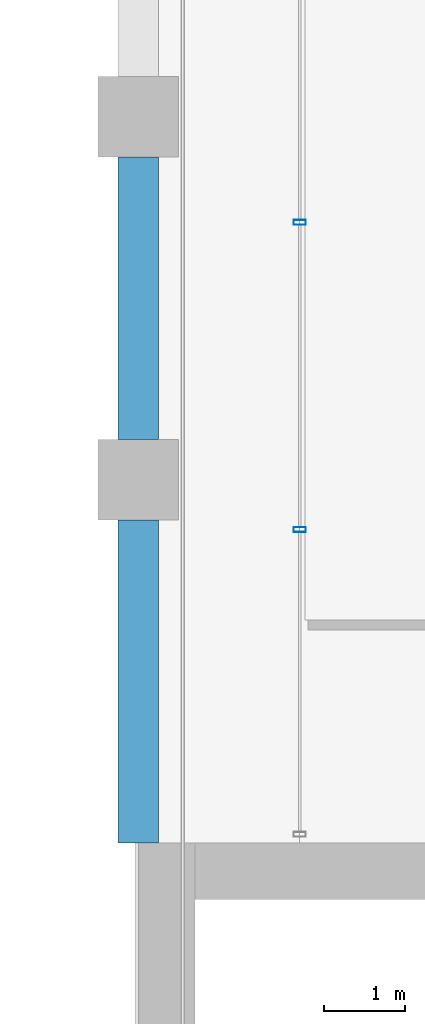
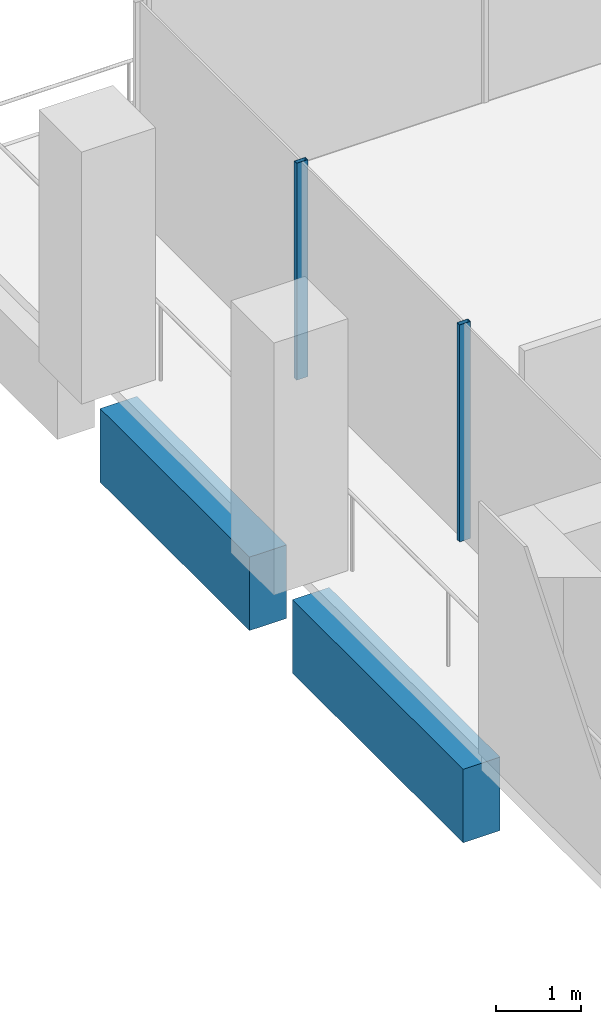
# One storey, part 20 of 46: 2 beams, 2 members, 1 element without a shape of its own.
"""IFC4 building model written with IfcOpenShell, lengths in metres."""

from ifc_helpers import new_model, si_unit, direction, frame, origin, origin_2d, place, context, subcontext, project, spatial, rectangle, hollow_rectangle, extrude, material, material_profile, profile_set, type_object, element, aggregate, save


model = new_model("IFC4")

# Units and contexts
model_context = context("Model", 3, precision=1e-05, world=origin(), true_north=direction((0.0, 1.0)))
body_context = subcontext(model_context, "Body", "Model", "MODEL_VIEW")
ifc_project = project(units=[si_unit("LENGTHUNIT", "METRE"), si_unit("AREAUNIT", "SQUARE_METRE"), si_unit("VOLUMEUNIT", "CUBIC_METRE"), si_unit("PLANEANGLEUNIT", "RADIAN"), si_unit("MASSUNIT", "GRAM", prefix="KILO")], contexts=[model_context])

# Site, building, storey
site_placement = place(None, origin())
site = spatial("IfcSite", under=ifc_project, at=site_placement, CompositionType="ELEMENT")
building_placement = place(site_placement, origin())
building = spatial("IfcBuilding", under=site, at=building_placement, Name="Altepetl Exchange Towers", CompositionType="ELEMENT")
storey_placement = place(building_placement, frame((0.0, 0.0, 135.199951171875)))
storey = spatial("IfcBuildingStorey", under=building, at=storey_placement, Name="L33", CompositionType="ELEMENT", Elevation=135.199951171875)

# Curtain wall, members
ifc_material_1 = material(Name="Aluminium 6063-T6 glazing", Category="aluminium")
curtain_wall_type = type_object("IfcCurtainWallType", Name="Loggia glazing system", PredefinedType="NOTDEFINED", material=ifc_material_1)
curtain_wall_placement = place(storey_placement, origin())
curtain_wall = element("IfcCurtainWall", 1, at=curtain_wall_placement, inside=storey, type_object=curtain_wall_type, Name="CW1 run", PredefinedType="NOTDEFINED")
ifc_material_2 = material(Name="Aluminium 6063-T6", Category="aluminium")
ifc_material_profile_1 = material_profile(ifc_material_2, hollow_rectangle(XDim=0.06005859375, YDim=0.14990234375, WallThickness=0.0029296875, at=origin_2d()), Name="Mullion 60x150 aluminium")
ifc_profile_set_1 = profile_set([ifc_material_profile_1], Name="Aluminium 6063-T6")
member_type = type_object("IfcMemberType", Name="Mullion 60x150 aluminium", PredefinedType="MULLION", material=ifc_profile_set_1)
member_1_placement = place(storey_placement, frame((42.5, 66.191650390625, 0.0), z_axis=(0.0, 0.0, 1.0), x_axis=(0.0, -1.0, 0.0)))
member_1 = element("IfcMember", 2, at=member_1_placement, type_object=member_type, Name="MU1 mullion", PredefinedType="MULLION", context=body_context, shape_type="SweptSolid", body=[
    extrude(hollow_rectangle(XDim=0.06005859375, YDim=0.14990234375, WallThickness=0.0029296875, at=origin_2d()), origin(), (0.0, 0.0, 1.0), 3.10009765625),
])
member_2_placement = place(storey_placement, frame((42.5, 62.38330078125, 0.0), z_axis=(0.0, 0.0, 1.0), x_axis=(0.0, -1.0, 0.0)))
member_2 = element("IfcMember", 3, at=member_2_placement, type_object=member_type, Name="MU1 mullion", PredefinedType="MULLION", context=body_context, shape_type="SweptSolid", body=[
    extrude(hollow_rectangle(XDim=0.06005859375, YDim=0.14990234375, WallThickness=0.0029296875, at=origin_2d()), origin(), (0.0, 0.0, 1.0), 3.10009765625),
])
aggregate(curtain_wall, [member_1, member_2])

# Beams
ifc_material_3 = material(Name="Concrete C50/60 precast with tezontle facing", Category="concrete")
ifc_material_profile_2 = material_profile(ifc_material_3, rectangle(XDim=0.5, YDim=1.050048828125, at=origin_2d()), Name="500 x 1050")
ifc_profile_set_2 = profile_set([ifc_material_profile_2], Name="Concrete C50/60 precast with tezontle facing")
beam_type = type_object("IfcBeamType", Name="Spandrel beam 500x1050 tezontle", PredefinedType="SPANDREL", material=ifc_profile_set_2)
beam_1_placement = place(storey_placement, frame((40.5, 67.0, -0.675048828125), z_axis=(0.0, -1.0, 0.0), x_axis=(1.0, 0.0, 0.0)))
element("IfcBeam", 4, at=beam_1_placement, inside=storey, type_object=beam_type, Name="sp:A:L33:031", PredefinedType="SPANDREL", context=body_context, shape_type="SweptSolid", body=[
    extrude(rectangle(XDim=0.5, YDim=1.050048828125, at=origin_2d()), origin(), (0.0, 0.0, 1.0), 3.5),
])
beam_2_placement = place(storey_placement, frame((40.5, 62.5, -0.675048828125), z_axis=(0.0, -1.0, 0.0), x_axis=(1.0, 0.0, 0.0)))
element("IfcBeam", 5, at=beam_2_placement, inside=storey, type_object=beam_type, Name="sp:A:L33:032", PredefinedType="SPANDREL", context=body_context, shape_type="SweptSolid", body=[
    extrude(rectangle(XDim=0.5, YDim=1.050048828125, at=origin_2d()), origin(), (0.0, 0.0, 1.0), 4.0),
])

save(model, "model.ifc")
